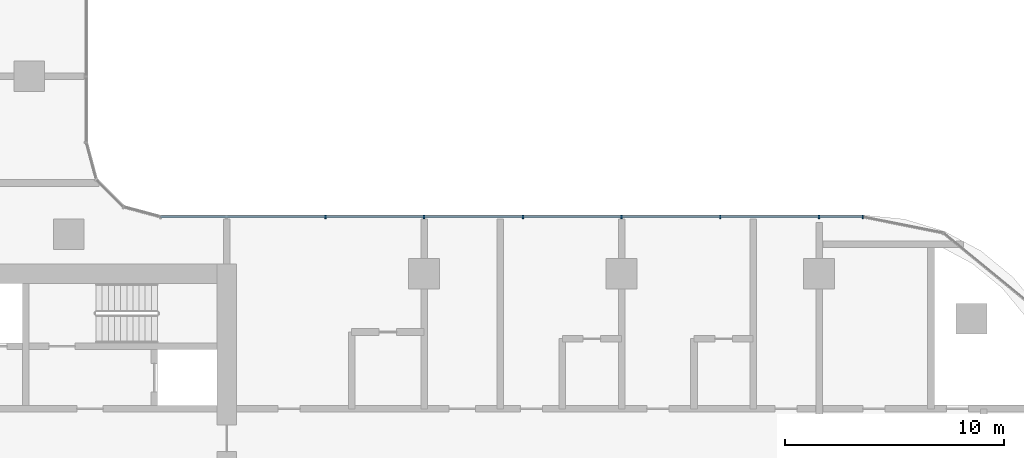
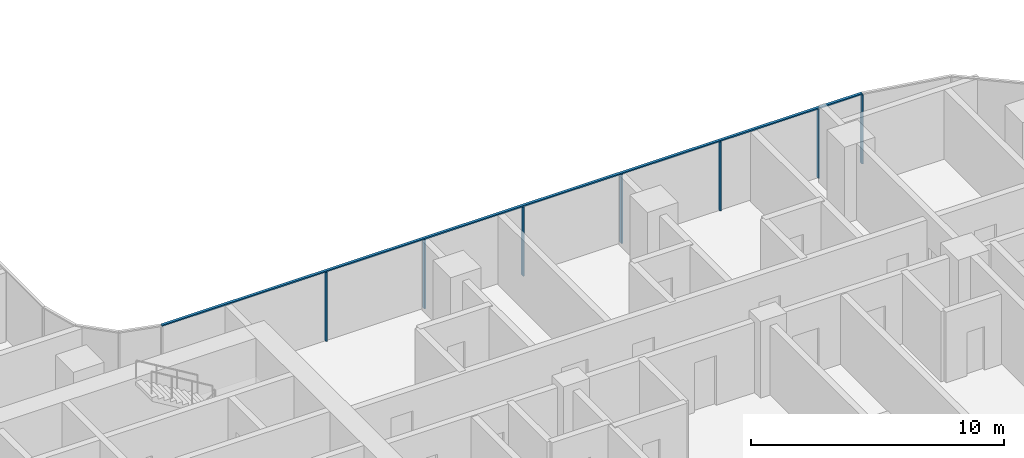
# One storey, part 4 of 34: 8 members, 1 element without a shape of its own.
"""IFC4 building model written with IfcOpenShell, lengths in metres."""

import ifcopenshell
import ifcopenshell.guid

model = None  # the IFC model being written
_history = None  # IfcOwnerHistory: only IFC2X3 demands one
_inside = {}  # id of a spatial element -> (the spatial element, [elements in it])
_under = {}  # id of a project, library or spatial element -> (it, [spatial elements below it])
_declared = {}  # id of a project -> (the project, [libraries it declares])
_typed = {}  # id of a type object -> (the type object, [elements of that type])
_made_of = {}  # id of a material, layer set ... -> (it, [elements and type objects made of it])


def new_model(schema):
    """Start an empty IFC model of exactly this schema.

    Asked for "IFC4X3", IfcOpenShell would pick the latest addendum, in which some entities
    have other attributes; the version numbers below select the first issue.
    IFC2X3 requires an IfcOwnerHistory on every rooted entity: one is made here for all.
    """
    global model, _history
    if schema == "IFC4X3":
        model = ifcopenshell.file(schema_version=(4, 3, 0, 0))
    else:
        model = ifcopenshell.file(schema=schema)
    _inside.clear()
    _under.clear()
    _declared.clear()
    _typed.clear()
    _made_of.clear()
    _history = None
    if model.schema == "IFC2X3":
        org = make("IfcOrganization", Name="unknown")
        user = make(
            "IfcPersonAndOrganization",
            ThePerson=make("IfcPerson", FamilyName="unknown"),
            TheOrganization=org,
        )
        app = make(
            "IfcApplication",
            ApplicationDeveloper=org,
            Version="unknown",
            ApplicationFullName="unknown",
            ApplicationIdentifier="unknown",
        )
        _history = make(
            "IfcOwnerHistory",
            OwningUser=user,
            OwningApplication=app,
            ChangeAction="ADDED",
            CreationDate=0,
        )
    return model


def make(cls, **values):
    """One entity of the class cls with the attributes given. An attribute that is None is left unset."""
    return model.create_entity(
        cls, **{name: value for name, value in values.items() if value is not None}
    )


def rooted(cls, **values):
    """An entity with a GlobalId (a new one), such as an element, a storey or a relation."""
    return make(cls, GlobalId=ifcopenshell.guid.new(), OwnerHistory=_history, **values)


def si_unit(unit_type, name, prefix=None):
    """IfcSIUnit, for example si_unit("LENGTHUNIT", "METRE", prefix="MILLI")."""
    return make("IfcSIUnit", UnitType=unit_type, Prefix=prefix, Name=name)


def assignment(units):
    """IfcUnitAssignment: the units of a project."""
    return None if units is None else make("IfcUnitAssignment", Units=units)


def point(xyz):
    """IfcCartesianPoint."""
    return None if xyz is None else make("IfcCartesianPoint", Coordinates=xyz)


def direction(xyz):
    """IfcDirection."""
    return None if xyz is None else make("IfcDirection", DirectionRatios=xyz)


def frame(location, z_axis=None, x_axis=None):
    """IfcAxis2Placement3D, a coordinate frame: its origin and axes. An axis left out is left unset."""
    return make(
        "IfcAxis2Placement3D",
        Location=point(location),
        Axis=direction(z_axis),
        RefDirection=direction(x_axis),
    )


def frame_2d(location, x_axis=None):
    """IfcAxis2Placement2D, a coordinate frame in the plane: its origin and x axis."""
    return make(
        "IfcAxis2Placement2D", Location=point(location), RefDirection=direction(x_axis)
    )


def origin():
    """The frame at (0, 0, 0) with its axes left unset."""
    return frame((0.0, 0.0, 0.0))


def origin_2d():
    """The frame at (0, 0) in the plane with its x axis left unset."""
    return frame_2d((0.0, 0.0))


def place(relative_to, where):
    """IfcLocalPlacement: puts the frame where relative to a parent placement (None: the world)."""
    return make(
        "IfcLocalPlacement", PlacementRelTo=relative_to, RelativePlacement=where
    )


def context(
    kind, dimensions, precision=None, world=None, true_north=None, identifier=None
):
    """IfcGeometricRepresentationContext, for example the 3D "Model" context."""
    return make(
        "IfcGeometricRepresentationContext",
        ContextIdentifier=identifier,
        ContextType=kind,
        CoordinateSpaceDimension=dimensions,
        Precision=precision,
        WorldCoordinateSystem=world,
        TrueNorth=true_north,
    )


def subcontext(parent, identifier, kind, view, scale=None):
    """IfcGeometricRepresentationSubContext, for example "Body" below "Model"."""
    return make(
        "IfcGeometricRepresentationSubContext",
        ContextIdentifier=identifier,
        ContextType=kind,
        ParentContext=parent,
        TargetScale=scale,
        TargetView=view,
    )


def project(units=None, contexts=None):
    """IfcProject with its units and contexts."""
    return rooted(
        "IfcProject",
        Name="project",
        RepresentationContexts=contexts,
        UnitsInContext=assignment(units),
    )


def spatial(cls, under=None, at=None, **own):
    """A site, building, storey or space (cls), placed at a placement, below another one or the project."""
    s = rooted(cls, ObjectPlacement=at, **own)
    if under is not None:
        _under.setdefault(under.id(), (under, []))[1].append(s)
    return s


def profile(cls, at=None, kind="AREA", **sizes):
    """A parametric profile (cls). Its sizes go by their IFC names, for example OverallWidth=200.0."""
    return make(cls, ProfileType=kind, Position=at, **sizes)


def rectangle(**sizes):
    """IfcRectangleProfileDef."""
    return profile("IfcRectangleProfileDef", **sizes)


def extrude(swept, where, along, depth):
    """IfcExtrudedAreaSolid: the profile swept, set in the frame where, extruded along a direction by depth."""
    return make(
        "IfcExtrudedAreaSolid",
        SweptArea=swept,
        Position=where,
        ExtrudedDirection=direction(along),
        Depth=depth,
    )


def shape(context_of_items, identifier, shape_type, items):
    """IfcShapeRepresentation: the items that make up one representation, for example the "Body"."""
    return make(
        "IfcShapeRepresentation",
        ContextOfItems=context_of_items,
        RepresentationIdentifier=identifier,
        RepresentationType=shape_type,
        Items=items,
    )


def material(Name=None, Category=None):
    """IfcMaterial."""
    return make("IfcMaterial", Name=Name, Category=Category)


def material_profile(
    of_material, cross_section, Name=None, Category=None, Priority=None
):
    """IfcMaterialProfile: a cross section and its material."""
    return make(
        "IfcMaterialProfile",
        Name=Name,
        Material=of_material,
        Profile=cross_section,
        Priority=Priority,
        Category=Category,
    )


def profile_set(profiles, Name=None, composite=None):
    """IfcMaterialProfileSet."""
    return make(
        "IfcMaterialProfileSet",
        Name=Name,
        MaterialProfiles=profiles,
        CompositeProfile=composite,
    )


def made_of(thing, what):
    """Note that an element or type object is made of a material, layer set ...; save() writes the relation."""
    if what is not None:
        _made_of.setdefault(what.id(), (what, []))[1].append(thing)
    return thing


def type_object(cls, material=None, **own):
    """A type object (cls), such as IfcWallType, which elements share."""
    return made_of(rooted(cls, **own), material)


def element(
    cls,
    number,
    at=None,
    inside=None,
    cuts=None,
    type_object=None,
    material=None,
    context=None,
    identifier="Body",
    shape_type=None,
    held_by="IfcProductDefinitionShape",
    body=None,
    shapes=None,
    **own,
):
    """One element of the class cls, such as IfcWall. Its Tag is "e" and its number.

    at: its placement. inside: the storey or other place that contains it. cuts: it is an
    opening in that element (IfcRelVoidsElement). A single representation is given by context,
    identifier, shape_type and body (its items); several are given by shapes. held_by: the class
    of the entity that holds the representations. save() writes the other relations.
    """
    e = rooted(cls, Tag="e%d" % number, ObjectPlacement=at, **own)
    if body is not None:
        shapes = [shape(context, identifier, shape_type, body)]
    if shapes is not None:
        e.Representation = make(held_by, Representations=shapes)
    if inside is not None:
        _inside.setdefault(inside.id(), (inside, []))[1].append(e)
    if cuts is not None:
        rooted(
            "IfcRelVoidsElement", RelatingBuildingElement=cuts, RelatedOpeningElement=e
        )
    if type_object is not None:
        _typed.setdefault(type_object.id(), (type_object, []))[1].append(e)
    return made_of(e, material)


def aggregate(whole, parts):
    """IfcRelAggregates: a whole, such as a stair, and the parts it consists of."""
    return rooted("IfcRelAggregates", RelatingObject=whole, RelatedObjects=parts)


def save(model, path):
    """Write the relations noted so far, then the file.

    IfcRelAggregates (storeys below a building ...), IfcRelContainedInSpatialStructure (elements
    in a storey), IfcRelDefinesByType, IfcRelAssociatesMaterial and IfcRelDeclares: one each for
    every whole, place, type object, material and project.
    """
    for whole, parts in _under.values():
        aggregate(whole, parts)
    for where, things in _inside.values():
        rooted(
            "IfcRelContainedInSpatialStructure",
            RelatedElements=things,
            RelatingStructure=where,
        )
    for kind, things in _typed.values():
        rooted("IfcRelDefinesByType", RelatedObjects=things, RelatingType=kind)
    for what, things in _made_of.values():
        rooted("IfcRelAssociatesMaterial", RelatedObjects=things, RelatingMaterial=what)
    for by, libraries in _declared.values():
        rooted("IfcRelDeclares", RelatingContext=by, RelatedDefinitions=libraries)
    model.write(path)


model = new_model("IFC4")

# Units and contexts
model_context = context("Model", 3, precision=1e-05, world=origin(), true_north=direction((0.0, 1.0)))
body_context = subcontext(model_context, "Body", "Model", "MODEL_VIEW")
ifc_project = project(units=[si_unit("LENGTHUNIT", "METRE"), si_unit("AREAUNIT", "SQUARE_METRE"), si_unit("VOLUMEUNIT", "CUBIC_METRE"), si_unit("PLANEANGLEUNIT", "RADIAN"), si_unit("MASSUNIT", "GRAM", prefix="KILO")], contexts=[model_context])

# Site, building, storey
site_placement = place(None, origin())
site = spatial("IfcSite", under=ifc_project, at=site_placement, CompositionType="ELEMENT")
building_placement = place(site_placement, origin())
building = spatial("IfcBuilding", under=site, at=building_placement, Name="Ogive Portal Towers", CompositionType="ELEMENT")
storey_placement = place(building_placement, frame((0.0, 0.0, 66.800048828125)))
storey = spatial("IfcBuildingStorey", under=building, at=storey_placement, Name="L15", CompositionType="ELEMENT", Elevation=66.800048828125)

# Curtain wall, members
ifc_material_1 = material(Name="Glass, clear low-iron insulated glazing", Category="glass")
curtain_wall_type = type_object("IfcCurtainWallType", Name="CW FRONT RIBBON 4500", PredefinedType="NOTDEFINED", material=ifc_material_1)
curtain_wall_placement = place(storey_placement, origin())
curtain_wall = element("IfcCurtainWall", 1, at=curtain_wall_placement, inside=storey, type_object=curtain_wall_type, Name="A:L15:f16:cw0", PredefinedType="NOTDEFINED")
ifc_material_2 = material(Name="Aluminium 6063 anodised", Category="aluminium")
ifc_material_profile_1 = material_profile(ifc_material_2, rectangle(XDim=0.159912109375, YDim=0.06005859375, at=origin_2d()), Name="AL 60x160")
ifc_profile_set_1 = profile_set([ifc_material_profile_1], Name="Aluminium 6063 anodised")
member_type_1 = type_object("IfcMemberType", Name="CW MULLION 60x160", PredefinedType="MULLION", material=ifc_profile_set_1)
member_1_placement = place(storey_placement, frame((87.4921875, 42.10009765625, 0.0), z_axis=(0.0, 0.0, 1.0), x_axis=(0.0, -1.0, 0.0)))
member_1 = element("IfcMember", 2, at=member_1_placement, type_object=member_type_1, Name="mullion", PredefinedType="MULLION", context=body_context, shape_type="SweptSolid", body=[
    extrude(rectangle(XDim=0.159912109375, YDim=0.06005859375, at=origin_2d()), origin(), (0.0, 0.0, 1.0), 3.33984375),
])
member_2_placement = place(storey_placement, frame((85.5, 42.10009765625, 0.0), z_axis=(0.0, 0.0, 1.0), x_axis=(0.0, -1.0, 0.0)))
member_2 = element("IfcMember", 3, at=member_2_placement, type_object=member_type_1, Name="mullion", PredefinedType="MULLION", context=body_context, shape_type="SweptSolid", body=[
    extrude(rectangle(XDim=0.159912109375, YDim=0.06005859375, at=origin_2d()), origin(), (0.0, 0.0, 1.0), 3.33984375),
])
member_3_placement = place(storey_placement, frame((81.0, 42.10009765625, 0.0), z_axis=(0.0, 0.0, 1.0), x_axis=(0.0, -1.0, 0.0)))
member_3 = element("IfcMember", 4, at=member_3_placement, type_object=member_type_1, Name="mullion", PredefinedType="MULLION", context=body_context, shape_type="SweptSolid", body=[
    extrude(rectangle(XDim=0.159912109375, YDim=0.06005859375, at=origin_2d()), origin(), (0.0, 0.0, 1.0), 3.33984375),
])
member_4_placement = place(storey_placement, frame((76.5, 42.10009765625, 0.0), z_axis=(0.0, 0.0, 1.0), x_axis=(0.0, -1.0, 0.0)))
member_4 = element("IfcMember", 5, at=member_4_placement, type_object=member_type_1, Name="mullion", PredefinedType="MULLION", context=body_context, shape_type="SweptSolid", body=[
    extrude(rectangle(XDim=0.159912109375, YDim=0.06005859375, at=origin_2d()), origin(), (0.0, 0.0, 1.0), 3.33984375),
])
member_5_placement = place(storey_placement, frame((72.0, 42.10009765625, 0.0), z_axis=(0.0, 0.0, 1.0), x_axis=(0.0, -1.0, 0.0)))
member_5 = element("IfcMember", 6, at=member_5_placement, type_object=member_type_1, Name="mullion", PredefinedType="MULLION", context=body_context, shape_type="SweptSolid", body=[
    extrude(rectangle(XDim=0.159912109375, YDim=0.06005859375, at=origin_2d()), origin(), (0.0, 0.0, 1.0), 3.33984375),
])
member_6_placement = place(storey_placement, frame((67.5, 42.10009765625, 0.0), z_axis=(0.0, 0.0, 1.0), x_axis=(0.0, -1.0, 0.0)))
member_6 = element("IfcMember", 7, at=member_6_placement, type_object=member_type_1, Name="mullion", PredefinedType="MULLION", context=body_context, shape_type="SweptSolid", body=[
    extrude(rectangle(XDim=0.159912109375, YDim=0.06005859375, at=origin_2d()), origin(), (0.0, 0.0, 1.0), 3.33984375),
])
member_7_placement = place(storey_placement, frame((63.0, 42.10009765625, 0.0), z_axis=(0.0, 0.0, 1.0), x_axis=(0.0, -1.0, 0.0)))
member_7 = element("IfcMember", 8, at=member_7_placement, type_object=member_type_1, Name="mullion", PredefinedType="MULLION", context=body_context, shape_type="SweptSolid", body=[
    extrude(rectangle(XDim=0.159912109375, YDim=0.06005859375, at=origin_2d()), origin(), (0.0, 0.0, 1.0), 3.33984375),
])
ifc_material_profile_2 = material_profile(ifc_material_2, rectangle(XDim=0.1201171875, YDim=0.06005859375, at=origin_2d()), Name="AL 120x60")
ifc_profile_set_2 = profile_set([ifc_material_profile_2], Name="Aluminium 6063 anodised")
member_type_2 = type_object("IfcMemberType", Name="CW TRANSOM 60x120", PredefinedType="USERDEFINED", material=ifc_profile_set_2)
member_8_placement = place(storey_placement, frame((87.4921875, 42.10009765625, 3.369873046875), z_axis=(-1.0, 0.0, 0.0), x_axis=(0.0, -1.0, 0.0)))
member_8 = element("IfcMember", 9, at=member_8_placement, type_object=member_type_2, Name="transom", ObjectType="TRANSOM", PredefinedType="USERDEFINED", context=body_context, shape_type="SweptSolid", body=[
    extrude(rectangle(XDim=0.1201171875, YDim=0.06005859375, at=origin_2d()), origin(), (0.0, 0.0, 1.0), 32.002685546875),
])
aggregate(curtain_wall, [member_8, member_1, member_2, member_3, member_4, member_5, member_6, member_7])

save(model, "model.ifc")
